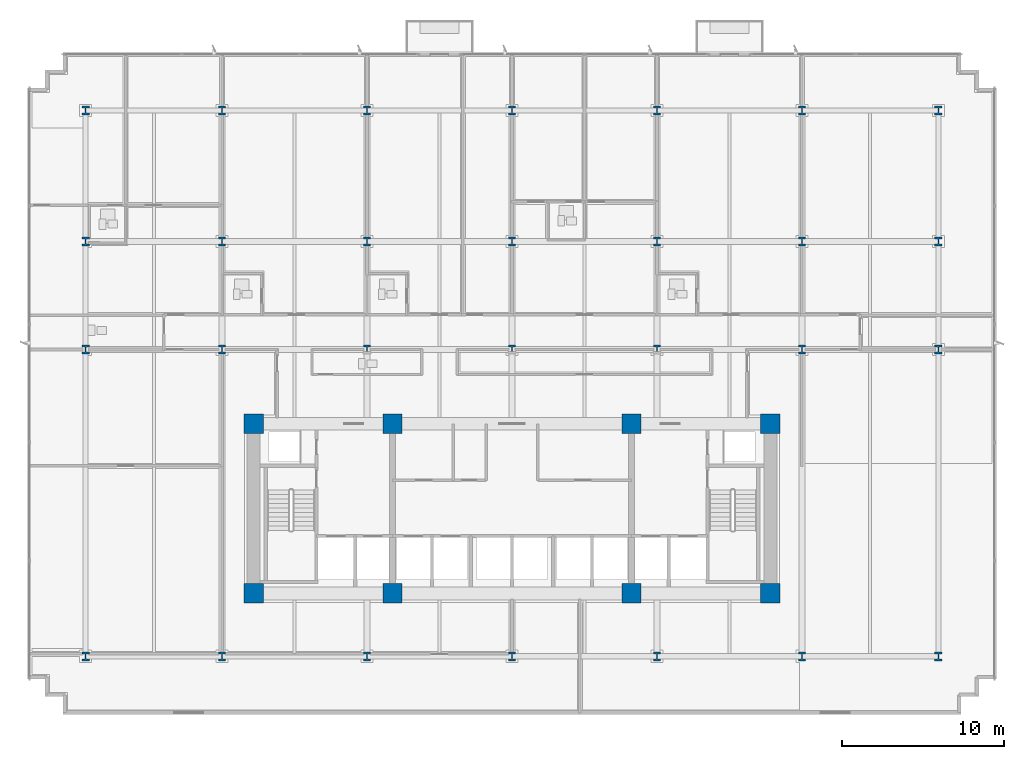
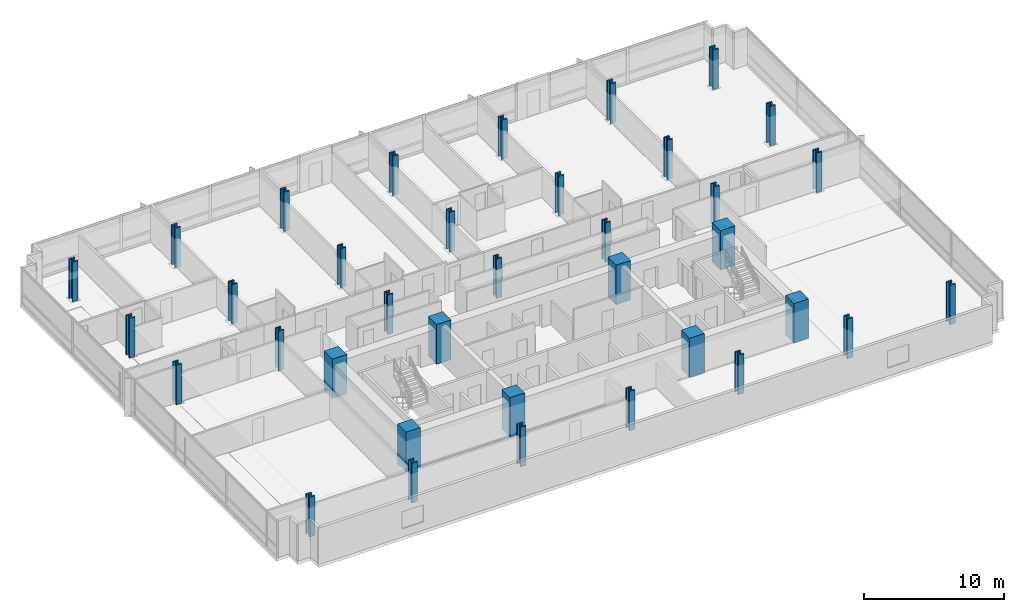
# One storey, part 1 of 15: 36 columns.
"""IFC4 building model written with IfcOpenShell, lengths in metres."""

from ifc_helpers import new_model, si_unit, direction, frame, origin, origin_2d, place, context, subcontext, project, spatial, rectangle, i_section, extrude, material, material_profile, profile_set, type_object, element, save


model = new_model("IFC4")

# Units and contexts
model_context = context("Model", 3, precision=1e-05, world=origin(), true_north=direction((0.0, 1.0)))
body_context = subcontext(model_context, "Body", "Model", "MODEL_VIEW")
ifc_project = project(units=[si_unit("LENGTHUNIT", "METRE"), si_unit("AREAUNIT", "SQUARE_METRE"), si_unit("VOLUMEUNIT", "CUBIC_METRE"), si_unit("PLANEANGLEUNIT", "RADIAN"), si_unit("MASSUNIT", "GRAM", prefix="KILO")], contexts=[model_context])

# Site, building, storey
site_placement = place(None, origin())
site = spatial("IfcSite", under=ifc_project, at=site_placement, CompositionType="ELEMENT")
building_placement = place(site_placement, origin())
building = spatial("IfcBuilding", under=site, at=building_placement, Name="Solmavex Isthmus Hotel", CompositionType="ELEMENT")
storey_placement = place(building_placement, frame((0.0, 0.0, 33.300048828125)))
storey = spatial("IfcBuildingStorey", under=building, at=storey_placement, Name="L08", CompositionType="ELEMENT", Elevation=33.300048828125)

# Columns
ifc_material_1 = material(Name="Concrete C70/85", Category="concrete")
ifc_material_profile_1 = material_profile(ifc_material_1, rectangle(XDim=1.199951171875, YDim=1.199951171875, at=origin_2d()), Name="RC1200X1200")
ifc_profile_set_1 = profile_set([ifc_material_profile_1], Name="Concrete C70/85")
column_type_1 = type_object("IfcColumnType", Name="COL-CC-1200", PredefinedType="COLUMN", material=ifc_profile_set_1)
for number, where, z_axis, x_axis, name in (
    (1, (-16.0, -13.0, 0.0), (0.0, 0.0, 1.0), (1.0, 0.0, 0.0), "Core Pilaster CC-SW L08"),
    (2, (-7.39990234375, -13.0, 0.0), (0.0, 0.0, 1.0), (1.0, 0.0, 0.0), "Core Pilaster CC-S1 L08"),
    (3, (7.39990234375, -13.0, 0.0), (0.0, 0.0, 1.0), (1.0, 0.0, 0.0), "Core Pilaster CC-S2 L08"),
    (4, (16.0, -13.0, 0.0), (0.0, 0.0, 1.0), (1.0, 0.0, 0.0), "Core Pilaster CC-SE L08"),
    (5, (-16.0, -2.5, 0.0), (0.0, 0.0, 1.0), (1.0, 0.0, 0.0), "Core Pilaster CC-NW L08"),
    (6, (-7.39990234375, -2.5, 0.0), (0.0, 0.0, 1.0), (1.0, 0.0, 0.0), "Core Pilaster CC-N1 L08"),
    (7, (7.39990234375, -2.5, 0.0), (0.0, 0.0, 1.0), (1.0, 0.0, 0.0), "Core Pilaster CC-N2 L08"),
    (8, (16.0, -2.5, 0.0), (0.0, 0.0, 1.0), (1.0, 0.0, 0.0), "Core Pilaster CC-NE L08"),
):
    element("IfcColumn", number, at=place(storey_placement, frame(where, z_axis=z_axis, x_axis=x_axis)), inside=storey, type_object=column_type_1, Name=name, PredefinedType="COLUMN", context=body_context, shape_type="SweptSolid", body=[
        extrude(rectangle(XDim=1.199951171875, YDim=1.199951171875, at=origin_2d()), origin(), (0.0, 0.0, 1.0), 3.449951171875),
    ])
ifc_material_2 = material(Name="Steel ASTM A913 Grade 65", Category="steel")
ifc_material_profile_2 = material_profile(ifc_material_2, i_section(OverallWidth=0.442138671875, OverallDepth=0.531494140625, WebThickness=0.06591796875, FlangeThickness=0.105712890625, FilletRadius=0.030517578125, at=origin_2d()), Name="W14X605")
ifc_profile_set_2 = profile_set([ifc_material_profile_2], Name="Steel ASTM A913 Grade 65")
column_type_2 = type_object("IfcColumnType", Name="COL-SC-W14X605", PredefinedType="COLUMN", material=ifc_profile_set_2)
for number, where, z_axis, x_axis, name in (
    (9, (-17.951904296875, 2.10009765625, 0.0), (0.0, 0.0, 1.0), (1.0, 0.0, 0.0), "Tower Column B1-U2V2 L08"),
    (10, (-17.951904296875, 8.7880859375, 0.0), (0.0, 0.0, 1.0), (1.0, 0.0, 0.0), "Tower Column B1-U2V3 L08"),
    (11, (-8.97607421875, 2.10009765625, 0.0), (0.0, 0.0, 1.0), (1.0, 0.0, 0.0), "Tower Column B1-U3V2 L08"),
    (12, (-8.97607421875, 8.7880859375, 0.0), (0.0, 0.0, 1.0), (1.0, 0.0, 0.0), "Tower Column B1-U3V3 L08"),
    (13, (0.0, 2.10009765625, 0.0), (0.0, 0.0, 1.0), (1.0, 0.0, 0.0), "Tower Column B1-U4V2 L08"),
    (14, (0.0, 8.7880859375, 0.0), (0.0, 0.0, 1.0), (1.0, 0.0, 0.0), "Tower Column B1-U4V3 L08"),
    (15, (8.97607421875, 2.10009765625, 0.0), (0.0, 0.0, 1.0), (1.0, 0.0, 0.0), "Tower Column B1-U5V2 L08"),
    (16, (8.97607421875, 8.7880859375, 0.0), (0.0, 0.0, 1.0), (1.0, 0.0, 0.0), "Tower Column B1-U5V3 L08"),
    (17, (17.951904296875, 2.10009765625, 0.0), (0.0, 0.0, 1.0), (1.0, 0.0, 0.0), "Tower Column B1-U6V2 L08"),
    (18, (17.951904296875, 8.7880859375, 0.0), (0.0, 0.0, 1.0), (1.0, 0.0, 0.0), "Tower Column B1-U6V3 L08"),
):
    element("IfcColumn", number, at=place(storey_placement, frame(where, z_axis=z_axis, x_axis=x_axis)), inside=storey, type_object=column_type_2, Name=name, PredefinedType="COLUMN", context=body_context, shape_type="SweptSolid", body=[
        extrude(i_section(OverallWidth=0.442138671875, OverallDepth=0.531494140625, WebThickness=0.06591796875, FlangeThickness=0.105712890625, FilletRadius=0.030517578125, at=origin_2d()), origin(), (0.0, 0.0, 1.0), 3.449951171875),
    ])
ifc_material_profile_3 = material_profile(ifc_material_2, i_section(OverallWidth=0.454345703125, OverallDepth=0.569091796875, WebThickness=0.077880859375, FlangeThickness=0.124755859375, FilletRadius=0.030517578125, at=origin_2d()), Name="W14X730")
ifc_profile_set_3 = profile_set([ifc_material_profile_3], Name="Steel ASTM A913 Grade 65")
column_type_3 = type_object("IfcColumnType", Name="COL-SC-W14X730", PredefinedType="COLUMN", material=ifc_profile_set_3)
for number, where, z_axis, x_axis, name in (
    (19, (-26.39990234375, -16.89990234375, 0.0), (0.0, 0.0, 1.0), (1.0, 0.0, 0.0), "Tower Column B1-U1V1 L08"),
    (20, (-26.39990234375, 2.10009765625, 0.0), (0.0, 0.0, 1.0), (1.0, 0.0, 0.0), "Tower Column B1-U1V2 L08"),
    (21, (-26.39990234375, 8.7880859375, 0.0), (0.0, 0.0, 1.0), (1.0, 0.0, 0.0), "Tower Column B1-U1V3 L08"),
    (22, (-26.39990234375, 16.89990234375, 0.0), (0.0, 0.0, 1.0), (1.0, 0.0, 0.0), "Tower Column B1-U1V4 L08"),
    (23, (-17.951904296875, -16.89990234375, 0.0), (0.0, 0.0, 1.0), (1.0, 0.0, 0.0), "Tower Column B1-U2V1 L08"),
    (24, (-17.951904296875, 16.89990234375, 0.0), (0.0, 0.0, 1.0), (1.0, 0.0, 0.0), "Tower Column B1-U2V4 L08"),
    (25, (-8.97607421875, -16.89990234375, 0.0), (0.0, 0.0, 1.0), (1.0, 0.0, 0.0), "Tower Column B1-U3V1 L08"),
    (26, (-8.97607421875, 16.89990234375, 0.0), (0.0, 0.0, 1.0), (1.0, 0.0, 0.0), "Tower Column B1-U3V4 L08"),
    (27, (0.0, -16.89990234375, 0.0), (0.0, 0.0, 1.0), (1.0, 0.0, 0.0), "Tower Column B1-U4V1 L08"),
    (28, (0.0, 16.89990234375, 0.0), (0.0, 0.0, 1.0), (1.0, 0.0, 0.0), "Tower Column B1-U4V4 L08"),
    (29, (8.97607421875, -16.89990234375, 0.0), (0.0, 0.0, 1.0), (1.0, 0.0, 0.0), "Tower Column B1-U5V1 L08"),
    (30, (8.97607421875, 16.89990234375, 0.0), (0.0, 0.0, 1.0), (1.0, 0.0, 0.0), "Tower Column B1-U5V4 L08"),
    (31, (17.951904296875, -16.89990234375, 0.0), (0.0, 0.0, 1.0), (1.0, 0.0, 0.0), "Tower Column B1-U6V1 L08"),
    (32, (17.951904296875, 16.89990234375, 0.0), (0.0, 0.0, 1.0), (1.0, 0.0, 0.0), "Tower Column B1-U6V4 L08"),
    (33, (26.39990234375, -16.89990234375, 0.0), (0.0, 0.0, 1.0), (1.0, 0.0, 0.0), "Tower Column B1-U7V1 L08"),
    (34, (26.39990234375, 2.10009765625, 0.0), (0.0, 0.0, 1.0), (1.0, 0.0, 0.0), "Tower Column B1-U7V2 L08"),
    (35, (26.39990234375, 8.7880859375, 0.0), (0.0, 0.0, 1.0), (1.0, 0.0, 0.0), "Tower Column B1-U7V3 L08"),
    (36, (26.39990234375, 16.89990234375, 0.0), (0.0, 0.0, 1.0), (1.0, 0.0, 0.0), "Tower Column B1-U7V4 L08"),
):
    element("IfcColumn", number, at=place(storey_placement, frame(where, z_axis=z_axis, x_axis=x_axis)), inside=storey, type_object=column_type_3, Name=name, PredefinedType="COLUMN", context=body_context, shape_type="SweptSolid", body=[
        extrude(i_section(OverallWidth=0.454345703125, OverallDepth=0.569091796875, WebThickness=0.077880859375, FlangeThickness=0.124755859375, FilletRadius=0.030517578125, at=origin_2d()), origin(), (0.0, 0.0, 1.0), 3.449951171875),
    ])

save(model, "model.ifc")
